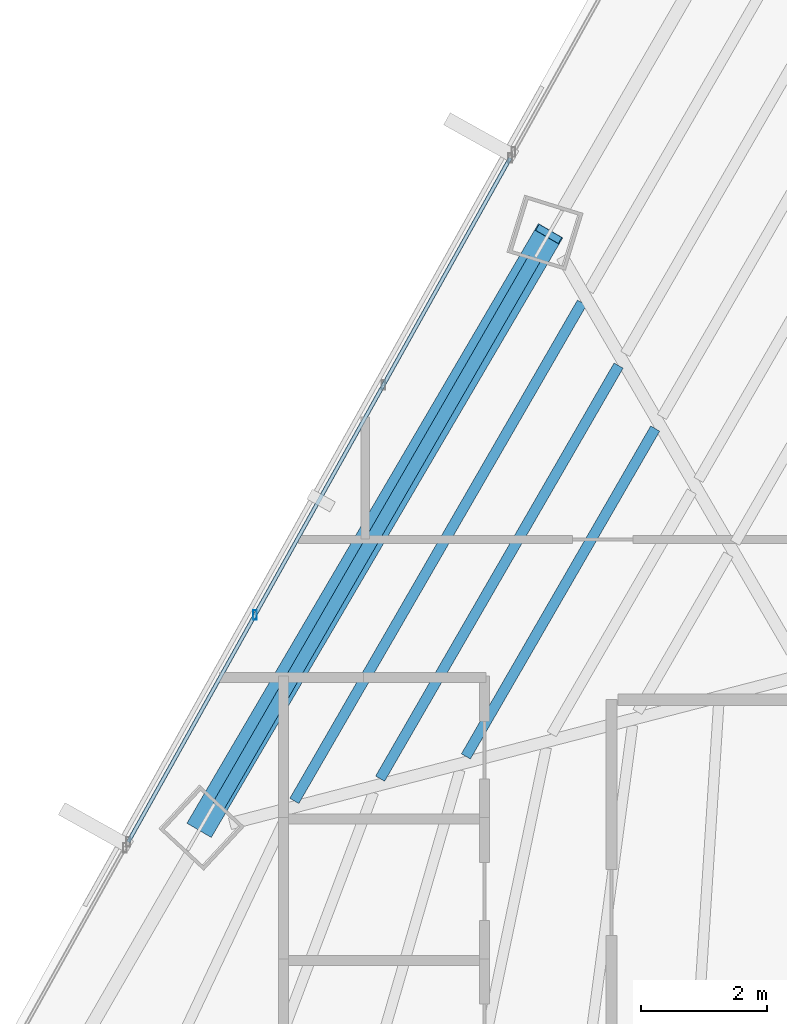
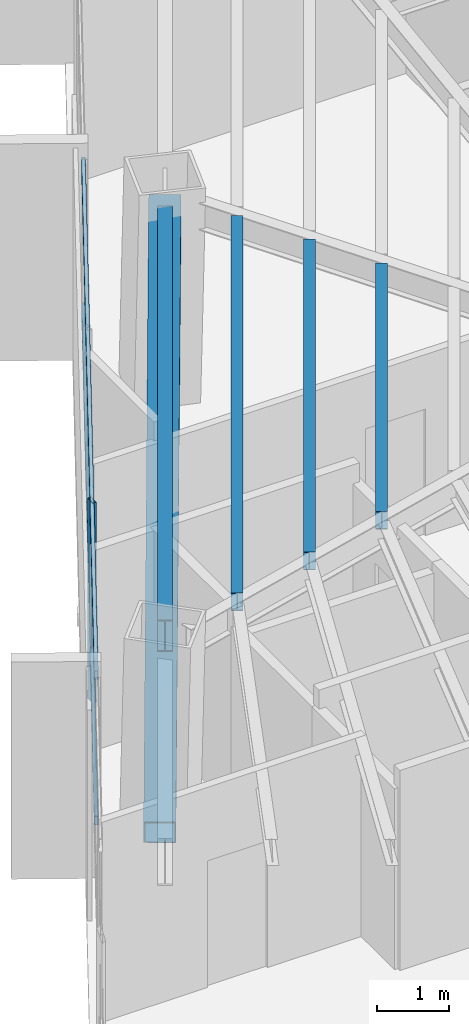
# One storey, part 14 of 38: 4 beams, 4 members, 1 element without a shape of its own.
"""IFC4 building model written with IfcOpenShell, lengths in metres."""

from ifc_helpers import new_model, si_unit, direction, frame, origin, origin_2d, place, context, subcontext, project, spatial, hollow_rectangle, i_section, extrude, source, transform, mapped, material, material_profile, profile_set, type_object, type_shapes, element, aggregate, save


model = new_model("IFC4")

# Units and contexts
model_context = context("Model", 3, precision=1e-05, world=origin(), true_north=direction((0.0, 1.0)))
body_context = subcontext(model_context, "Body", "Model", "MODEL_VIEW")
ifc_project = project(units=[si_unit("LENGTHUNIT", "METRE"), si_unit("AREAUNIT", "SQUARE_METRE"), si_unit("VOLUMEUNIT", "CUBIC_METRE"), si_unit("PLANEANGLEUNIT", "RADIAN"), si_unit("MASSUNIT", "GRAM", prefix="KILO")], contexts=[model_context])

# Site, building, storey
site_placement = place(None, origin())
site = spatial("IfcSite", under=ifc_project, at=site_placement, CompositionType="ELEMENT")
building_placement = place(site_placement, origin())
building = spatial("IfcBuilding", under=site, at=building_placement, Name="Caelisora Broadcast Tower", CompositionType="ELEMENT")
storey_placement = place(building_placement, frame((0.0, 0.0, 158.5)))
storey = spatial("IfcBuildingStorey", under=building, at=storey_placement, Name="L41", CompositionType="ELEMENT", Elevation=158.5)

# Beams
ifc_material_1 = material(Name="Steel Grade 350 (AS/NZS 3679.1)", Category="steel")
ifc_material_profile_1 = material_profile(ifc_material_1, i_section(OverallWidth=0.208984375, OverallDepth=0.532958984375, WebThickness=0.01025390625, FlangeThickness=0.015625, at=origin_2d()), Name="Steel Grade 350 (AS/NZS 3679.1)")
ifc_profile_set_1 = profile_set([ifc_material_profile_1], Name="Steel Grade 350 (AS/NZS 3679.1)")
beam_type_1 = type_object("IfcBeamType", Name="PG05", PredefinedType="BEAM", material=ifc_profile_set_1)
shared_shape_1 = source(origin(), body_context, "Body", "SweptSolid", [
    extrude(i_section(OverallWidth=0.208984375, OverallDepth=0.532958984375, WebThickness=0.01025390625, FlangeThickness=0.015625, at=origin_2d()), origin(), (0.0, 0.0, 1.0), 10.04296875),
])
type_shapes(beam_type_1, [shared_shape_1])
beam_1_placement = place(storey_placement, frame((26.191162109375, 36.6162109375, 3.133544921875), z_axis=(-0.499998115892, -0.866026491572, 0.0), x_axis=(0.866026491572, -0.499998115892, 0.0)))
element("IfcBeam", 1, at=beam_1_placement, inside=storey, type_object=beam_type_1, Name="L41 beam PG05", PredefinedType="BEAM", context=body_context, shape_type="MappedRepresentation", body=[
    mapped(shared_shape_1, transform((0.0, 0.0, 0.0), scale=1.0)),
])
ifc_material_profile_2 = material_profile(ifc_material_1, i_section(OverallWidth=0.166015625, OverallDepth=0.30712890625, WebThickness=0.006591796875, FlangeThickness=0.01171875, at=origin_2d()), Name="Steel Grade 350 (AS/NZS 3679.1)")
ifc_profile_set_2 = profile_set([ifc_material_profile_2], Name="Steel Grade 350 (AS/NZS 3679.1)")
beam_type_2 = type_object("IfcBeamType", Name="SB03", PredefinedType="JOIST", material=ifc_profile_set_2)
shared_shape_2 = source(origin(), body_context, "Body", "SweptSolid", [
    extrude(i_section(OverallWidth=0.166015625, OverallDepth=0.30712890625, WebThickness=0.006591796875, FlangeThickness=0.01171875, at=origin_2d()), origin(), (0.0, 0.0, 1.0), 6.026611328125),
])
beam_2_placement = place(storey_placement, frame((28.11572265625, 33.91552734375, 3.246337890625), z_axis=(-0.500029875572, -0.866008154428, 0.0), x_axis=(0.866008154428, -0.500029875572, 0.0)))
element("IfcBeam", 2, at=beam_2_placement, inside=storey, type_object=beam_type_2, Name="L41 beam SB03", PredefinedType="JOIST", context=body_context, shape_type="MappedRepresentation", body=[
    mapped(shared_shape_2, transform((0.0, 0.0, 0.0), scale=1.0)),
])
shared_shape_3 = source(origin(), body_context, "Body", "SweptSolid", [
    extrude(i_section(OverallWidth=0.166015625, OverallDepth=0.30712890625, WebThickness=0.006591796875, FlangeThickness=0.01171875, at=origin_2d()), origin(), (0.0, 0.0, 1.0), 7.5927734375),
])
beam_3_placement = place(storey_placement, frame((27.532958984375, 34.917724609375, 3.246337890625), z_axis=(-0.500005430915, -0.866022268221, 0.0), x_axis=(0.866022268221, -0.500005430915, 0.0)))
element("IfcBeam", 3, at=beam_3_placement, inside=storey, type_object=beam_type_2, Name="L41 beam SB03", PredefinedType="JOIST", context=body_context, shape_type="MappedRepresentation", body=[
    mapped(shared_shape_3, transform((0.0, 0.0, 0.0), scale=1.0)),
])
shared_shape_4 = source(origin(), body_context, "Body", "SweptSolid", [
    extrude(i_section(OverallWidth=0.166015625, OverallDepth=0.30712890625, WebThickness=0.006591796875, FlangeThickness=0.01171875, at=origin_2d()), origin(), (0.0, 0.0, 1.0), 9.158935546875),
])
type_shapes(beam_type_2, [shared_shape_2, shared_shape_3, shared_shape_4])
beam_4_placement = place(storey_placement, frame((26.9501953125, 35.919921875, 3.246337890625), z_axis=(-0.499989346253, -0.866031554641, 0.0), x_axis=(0.866031554641, -0.499989346253, 0.0)))
element("IfcBeam", 4, at=beam_4_placement, inside=storey, type_object=beam_type_2, Name="L41 beam SB03", PredefinedType="JOIST", context=body_context, shape_type="MappedRepresentation", body=[
    mapped(shared_shape_4, transform((0.0, 0.0, 0.0), scale=1.0)),
])

# Member
ifc_material_2 = material(Name="Steel Grade 450 (AS/NZS 1163 C450L0)", Category="steel")
ifc_material_profile_3 = material_profile(ifc_material_2, hollow_rectangle(XDim=0.449951171875, YDim=0.449951171875, WallThickness=0.01611328125, at=origin_2d()), Name="Steel Grade 450 (AS/NZS 1163 C450L0)")
ifc_profile_set_3 = profile_set([ifc_material_profile_3], Name="Steel Grade 450 (AS/NZS 1163 C450L0)")
member_type_1 = type_object("IfcMemberType", Name="BR03", PredefinedType="BRACE", material=ifc_profile_set_3)
shared_shape_5 = source(origin(), body_context, "Body", "SweptSolid", [
    extrude(hollow_rectangle(XDim=0.449951171875, YDim=0.449951171875, WallThickness=0.01611328125, at=origin_2d()), origin(), (0.0, 0.0, 1.0), 11.350341796875),
])
type_shapes(member_type_1, [shared_shape_5])
member_1_placement = place(storey_placement, frame((26.421142578125, 37.0146484375, 3.10009765625), z_axis=(-0.487724902627, -0.832025344362, -0.264307104894), x_axis=(0.862704344984, -0.505708624749, 0.0)))
element("IfcMember", 5, at=member_1_placement, inside=storey, type_object=member_type_1, Name="L41 perimeter brace BR03", PredefinedType="BRACE", context=body_context, shape_type="MappedRepresentation", body=[
    mapped(shared_shape_5, transform((0.0, 0.0, 0.0), scale=1.0)),
])

# Curtain wall, members
ifc_material_3 = material(Name="Unitised Aluminium Insulated Shadow-Box Spandrel Curtain Wall", Category="aluminium")
curtain_wall_type = type_object("IfcCurtainWallType", Name="CW-SP2", PredefinedType="NOTDEFINED", material=ifc_material_3)
curtain_wall_placement = place(storey_placement, origin())
curtain_wall = element("IfcCurtainWall", 6, at=curtain_wall_placement, inside=storey, type_object=curtain_wall_type, Name="L41 curtain wall CW-SP2", PredefinedType="NOTDEFINED")
ifc_material_4 = material(Name="Aluminium 6063-T6 Anodised Terracotta Bronze", Category="aluminium")
ifc_material_profile_4 = material_profile(ifc_material_4, hollow_rectangle(XDim=0.06005859375, YDim=0.14990234375, WallThickness=0.00341796875, at=origin_2d()), Name="Aluminium 6063-T6 Anodised Terracotta Bronze")
ifc_profile_set_4 = profile_set([ifc_material_profile_4], Name="Aluminium 6063-T6 Anodised Terracotta Bronze")
member_type_2 = type_object("IfcMemberType", Name="CWM-03", PredefinedType="MULLION", material=ifc_profile_set_4)
shared_shape_6 = source(origin(), body_context, "Body", "SweptSolid", [
    extrude(hollow_rectangle(XDim=0.06005859375, YDim=0.14990234375, WallThickness=0.00341796875, at=origin_2d()), origin(), (0.0, 0.0, 1.0), 3.39990234375),
])
type_shapes(member_type_2, [shared_shape_6])
member_2_placement = place(storey_placement, frame((21.74609375, 30.949462890625, 0.0), z_axis=(0.0, 0.0, 1.0), x_axis=(1.0, 0.0, 0.0)))
member_2 = element("IfcMember", 7, at=member_2_placement, type_object=member_type_2, Name="L41-CW-B10 mullion #1", PredefinedType="MULLION", context=body_context, shape_type="MappedRepresentation", body=[
    mapped(shared_shape_6, transform((0.0, 0.0, 0.0), scale=1.0)),
])
ifc_material_profile_5 = material_profile(ifc_material_4, hollow_rectangle(XDim=0.06005859375, YDim=0.14990234375, WallThickness=0.00341796875, at=origin_2d()), Name="Aluminium 6063-T6 Anodised Terracotta Bronze")
ifc_profile_set_5 = profile_set([ifc_material_profile_5], Name="Aluminium 6063-T6 Anodised Terracotta Bronze")
member_type_3 = type_object("IfcMemberType", Name="CWT-02", PredefinedType="USERDEFINED", material=ifc_profile_set_5)
shared_shape_7 = source(origin(), body_context, "Body", "SweptSolid", [
    extrude(hollow_rectangle(XDim=0.06005859375, YDim=0.14990234375, WallThickness=0.00341796875, at=origin_2d()), origin(), (0.0, 0.0, 1.0), 12.46923828125),
])
type_shapes(member_type_3, [shared_shape_7])
member_3_placement = place(storey_placement, frame((19.7275390625, 27.335205078125, 0.85009765625), z_axis=(0.487590077021, 0.873072687003, 0.0), x_axis=(-0.873072687003, 0.487590077021, 0.0)))
member_3 = element("IfcMember", 8, at=member_3_placement, type_object=member_type_3, Name="L41-CW-B10 transom #1", ObjectType="TRANSOM", PredefinedType="USERDEFINED", context=body_context, shape_type="MappedRepresentation", body=[
    mapped(shared_shape_7, transform((0.0, 0.0, 0.0), scale=1.0)),
])
member_4_placement = place(storey_placement, frame((19.7275390625, 27.335205078125, 3.320068359375), z_axis=(0.487590077021, 0.873072687003, 0.0), x_axis=(-0.873072687003, 0.487590077021, 0.0)))
member_4 = element("IfcMember", 9, at=member_4_placement, type_object=member_type_3, Name="L41-CW-B10 transom #2", ObjectType="TRANSOM", PredefinedType="USERDEFINED", context=body_context, shape_type="MappedRepresentation", body=[
    mapped(shared_shape_7, transform((0.0, 0.0, 0.0), scale=1.0)),
])
aggregate(curtain_wall, [member_2, member_3, member_4])

save(model, "model.ifc")
